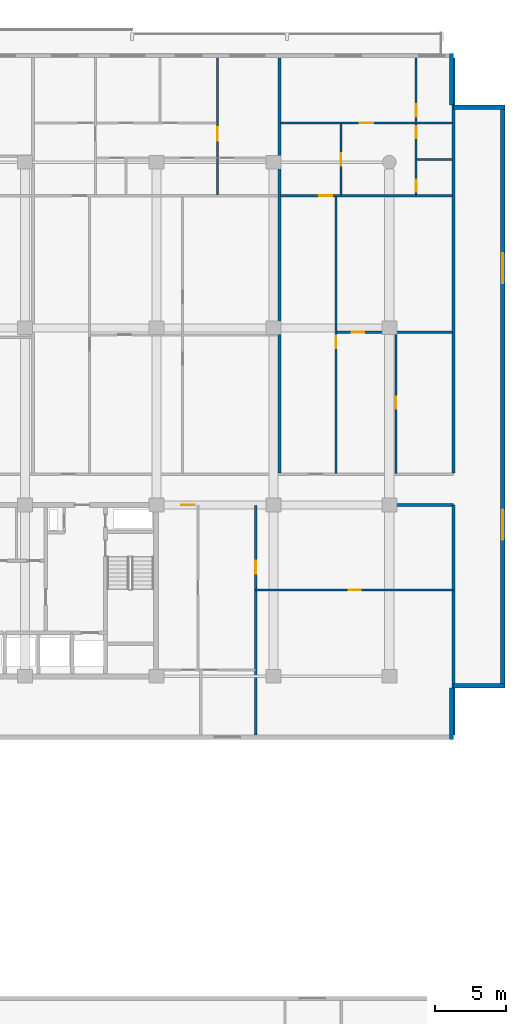
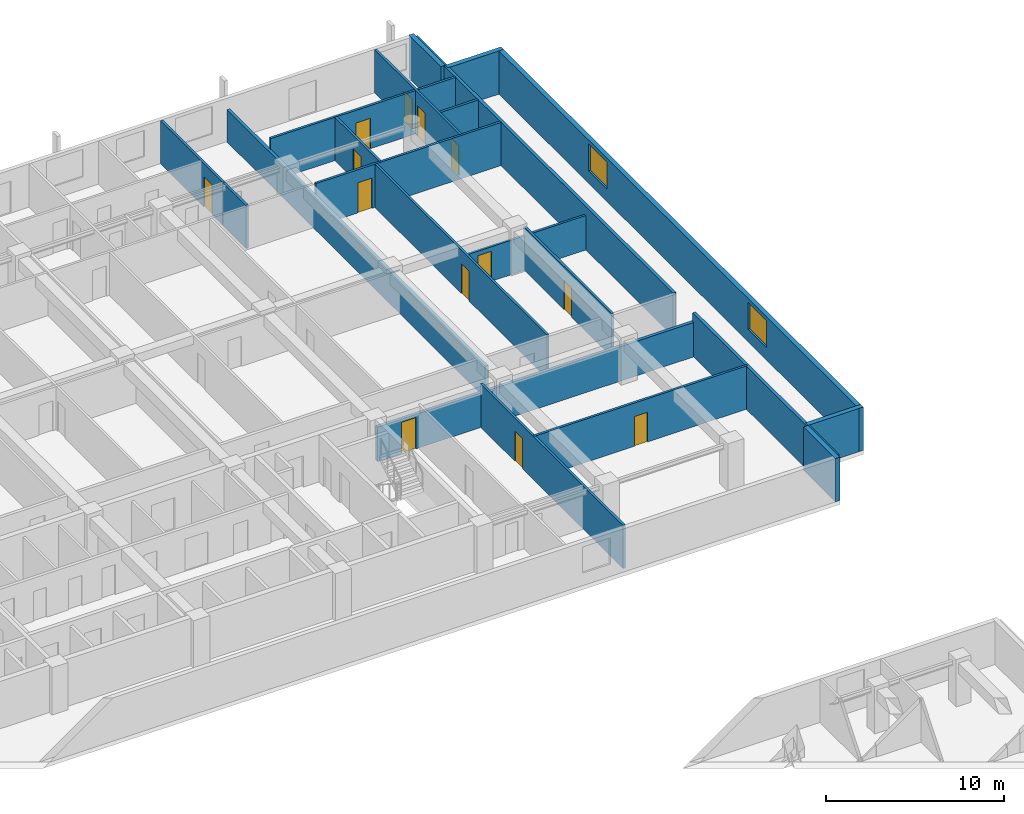
# One storey, part 17 of 23: 21 walls, 13 doors, 2 windows, 15 openings.
"""IFC4 building model written with IfcOpenShell, lengths in metres."""

from ifc_helpers import new_model, si_unit, direction, frame, frame_2d, origin, place, context, subcontext, project, spatial, rectangle, extrude, material, layer, layer_set, type_object, element, fill, save


model = new_model("IFC4")

# Units and contexts
model_context = context("Model", 3, precision=1e-05, world=origin(), true_north=direction((0.0, 1.0)))
body_context = subcontext(model_context, "Body", "Model", "MODEL_VIEW")
ifc_project = project(units=[si_unit("LENGTHUNIT", "METRE"), si_unit("AREAUNIT", "SQUARE_METRE"), si_unit("VOLUMEUNIT", "CUBIC_METRE"), si_unit("PLANEANGLEUNIT", "RADIAN"), si_unit("MASSUNIT", "GRAM", prefix="KILO")], contexts=[model_context])

# Site, building, storey
site_placement = place(None, origin())
site = spatial("IfcSite", under=ifc_project, at=site_placement, CompositionType="ELEMENT")
building_placement = place(site_placement, origin())
building = spatial("IfcBuilding", under=site, at=building_placement, Name="Korimba Cascade Residences", CompositionType="ELEMENT")
storey_placement = place(building_placement, frame((0.0, 0.0, 50.0)))
storey = spatial("IfcBuildingStorey", under=building, at=storey_placement, Name="L13", CompositionType="ELEMENT", Elevation=50.0)

# Walls
ifc_material_1 = material(Name="Precast concrete C40/50", Category="concrete")
ifc_layer_1 = layer(ifc_material_1, 0.300048828125)
ifc_layer_set_1 = layer_set([ifc_layer_1], Name="Precast concrete C40/50")
wall_type_1 = type_object("IfcWallType", Name="EW-STONE-300", PredefinedType="STANDARD", material=ifc_layer_set_1)
wall_1_placement = place(storey_placement, frame((132.75, 50.800048828125, 0.0), z_axis=(0.0, 0.0, 1.0), x_axis=(0.0, 1.0, 0.0)))
element("IfcWall", 1, at=wall_1_placement, inside=storey, type_object=wall_type_1, Name="L13 T1 Perimeter Stone Wall E01", PredefinedType="STANDARD", context=body_context, shape_type="SweptSolid", body=[
    extrude(rectangle(XDim=3.599853515625, YDim=0.300048828125, at=frame_2d((1.7998046875, 0.0))), origin(), (0.0, 0.0, 1.0), 2.969970703125),
])
wall_2_placement = place(storey_placement, frame((132.89990234375, 54.550048828125, 0.0), z_axis=(0.0, 0.0, 1.0), x_axis=(1.0, 0.0, 0.0)))
element("IfcWall", 2, at=wall_2_placement, inside=storey, type_object=wall_type_1, Name="L13 T1 Perimeter Stone Wall E02", PredefinedType="STANDARD", context=body_context, shape_type="SweptSolid", body=[
    extrude(rectangle(XDim=3.60009765625, YDim=0.300048828125, at=frame_2d((1.800048828125, 0.0))), origin(), (0.0, 0.0, 1.0), 2.969970703125),
])

# Wall, openings, windows
wall_3_placement = place(storey_placement, frame((136.35009765625, 54.39990234375, 0.0), z_axis=(0.0, 0.0, 1.0), x_axis=(0.0, 1.0, 0.0)))
wall_3 = element("IfcWall", 3, at=wall_3_placement, inside=storey, type_object=wall_type_1, Name="L13 T1 Perimeter Stone Wall E03", PredefinedType="STANDARD", context=body_context, shape_type="SweptSolid", body=[
    extrude(rectangle(XDim=40.800048828125, YDim=0.300048828125, at=frame_2d((20.39990234375, 0.0))), origin(), (0.0, 0.0, 1.0), 2.969970703125),
])
opening_1_placement = place(wall_3_placement, frame((10.3740234375, 0.0, 0.85009765625)))
opening_1 = element("IfcOpeningElement", 4, at=opening_1_placement, cuts=wall_3, Name="Opening W-03", PredefinedType="OPENING", context=body_context, shape_type="SweptSolid", body=[
    extrude(rectangle(XDim=2.10009765625, YDim=1.85009765625, at=frame_2d((1.050048828125, 0.925048828125))), frame((0.0, 0.16015625, 0.0), z_axis=(0.0, -1.0, 0.0), x_axis=(1.0, 0.0, 0.0)), (0.0, 0.0, 1.0), 0.320068359375),
])
opening_2_placement = place(wall_3_placement, frame((28.325927734375, 0.0, 0.85009765625)))
opening_2 = element("IfcOpeningElement", 5, at=opening_2_placement, cuts=wall_3, Name="Opening W-03", PredefinedType="OPENING", context=body_context, shape_type="SweptSolid", body=[
    extrude(rectangle(XDim=2.10009765625, YDim=1.85009765625, at=frame_2d((1.050048828125, 0.925048828125))), frame((0.0, 0.16015625, 0.0), z_axis=(0.0, -1.0, 0.0), x_axis=(1.0, 0.0, 0.0)), (0.0, 0.0, 1.0), 0.320068359375),
])
ifc_material_2 = material(Name="Double-Glazed Aluminium Window", Category="aluminium")
window_type = type_object("IfcWindowType", Name="WIN-CRN-2100", PartitioningType="DOUBLE_PANEL_HORIZONTAL", PredefinedType="WINDOW", material=ifc_material_2)
window_1_placement = place(opening_1_placement, origin())
window_1 = element("IfcWindow", 6, at=window_1_placement, inside=storey, type_object=window_type, Name="L13 T1 End View Window 3.1", OverallHeight=1.85009765625, OverallWidth=2.10009765625, PartitioningType="DOUBLE_PANEL_HORIZONTAL", PredefinedType="WINDOW", context=body_context, shape_type="SweptSolid", body=[
    extrude(rectangle(XDim=2.10009765625, YDim=1.85009765625, at=frame_2d((1.050048828125, 0.925048828125))), frame((0.0, 0.030029296875, 0.0), z_axis=(0.0, -1.0, 0.0), x_axis=(1.0, 0.0, 0.0)), (0.0, 0.0, 1.0), 0.06005859375),
])
fill(opening_1, window_1)
window_2_placement = place(opening_2_placement, origin())
window_2 = element("IfcWindow", 7, at=window_2_placement, inside=storey, type_object=window_type, Name="L13 T1 End View Window 3.2", OverallHeight=1.85009765625, OverallWidth=2.10009765625, PartitioningType="DOUBLE_PANEL_HORIZONTAL", PredefinedType="WINDOW", context=body_context, shape_type="SweptSolid", body=[
    extrude(rectangle(XDim=2.10009765625, YDim=1.85009765625, at=frame_2d((1.050048828125, 0.925048828125))), frame((0.0, 0.030029296875, 0.0), z_axis=(0.0, -1.0, 0.0), x_axis=(1.0, 0.0, 0.0)), (0.0, 0.0, 1.0), 0.06005859375),
])
fill(opening_2, window_2)

# Walls
for number, where, z_axis, x_axis, name in (
    (8, (136.5, 95.050048828125, 0.0), (0.0, 0.0, 1.0), (-1.0, 0.0, 0.0), "L13 T1 Perimeter Stone Wall E04"),
    (9, (132.75, 95.199951171875, 0.0), (0.0, 0.0, 1.0), (0.0, 1.0, 0.0), "L13 T1 Perimeter Stone Wall E05"),
):
    element("IfcWall", number, at=place(storey_placement, frame(where, z_axis=z_axis, x_axis=x_axis)), inside=storey, type_object=wall_type_1, Name=name, PredefinedType="STANDARD", context=body_context, shape_type="SweptSolid", body=[
        extrude(rectangle(XDim=3.60009765625, YDim=0.300048828125, at=frame_2d((1.800048828125, 0.0))), origin(), (0.0, 0.0, 1.0), 2.969970703125),
    ])
ifc_layer_2 = layer(ifc_material_1, 0.199951171875)
ifc_layer_set_2 = layer_set([ifc_layer_2], Name="Precast concrete C40/50")
wall_type_2 = type_object("IfcWallType", Name="WAL-IT-200", PredefinedType="PARTITIONING", material=ifc_layer_set_2)
wall_4_placement = place(storey_placement, frame((132.89990234375, 51.10009765625, 0.0), z_axis=(0.0, 0.0, 1.0), x_axis=(0.0, 1.0, 0.0)))
element("IfcWall", 10, at=wall_4_placement, inside=storey, type_object=wall_type_2, Name="L13 Partition Wall WAL-L13-T1-FE-WR", PredefinedType="PARTITIONING", context=body_context, shape_type="SweptSolid", body=[
    extrude(rectangle(XDim=16.099853515625, YDim=0.199951171875, at=frame_2d((8.0498046875, 0.0))), origin(), (0.0, 0.0, 1.0), 2.969970703125),
])

# Wall, opening, door
wall_5_placement = place(storey_placement, frame((112.25, 67.199951171875, 0.0), z_axis=(0.0, 0.0, 1.0), x_axis=(1.0, 0.0, 0.0)))
wall_5 = element("IfcWall", 11, at=wall_5_placement, inside=storey, type_object=wall_type_2, Name="L13 Partition Wall WAL-L13-T1-FE-N", PredefinedType="PARTITIONING", context=body_context, shape_type="SweptSolid", body=[
    extrude(rectangle(XDim=20.64990234375, YDim=0.199951171875, at=frame_2d((10.324951171875, 0.0))), origin(), (0.0, 0.0, 1.0), 2.3701171875),
])
opening_3_placement = place(wall_5_placement, frame((1.580078125, 0.0, 0.0)))
opening_3 = element("IfcOpeningElement", 12, at=opening_3_placement, cuts=wall_5, Name="Opening D-UN1", PredefinedType="OPENING", context=body_context, shape_type="SweptSolid", body=[
    extrude(rectangle(XDim=0.949951171875, YDim=2.14990234375, at=frame_2d((0.47509765625, 1.074951171875))), frame((0.0, 0.10986328125, 0.0), z_axis=(0.0, -1.0, 0.0), x_axis=(1.0, 0.0, 0.0)), (0.0, 0.0, 1.0), 0.219970703125),
])
ifc_material_3 = material(Name="Fire-Rated Hardwood Apartment Entrance Door", Category="wood")
door_type_1 = type_object("IfcDoorType", Name="DR-FD60-950", OperationType="NOTDEFINED", PredefinedType="DOOR", material=ifc_material_3)
door_1_placement = place(opening_3_placement, origin())
door_1 = element("IfcDoor", 13, at=door_1_placement, inside=storey, type_object=door_type_1, Name="L13-T1-FE Entrance Door", OperationType="SINGLE_SWING_LEFT", OverallHeight=2.14990234375, OverallWidth=0.949951171875, PredefinedType="DOOR", context=body_context, shape_type="SweptSolid", body=[
    extrude(rectangle(XDim=0.949951171875, YDim=2.14990234375, at=frame_2d((0.47509765625, 1.074951171875))), frame((0.0, 0.02490234375, 0.0), z_axis=(0.0, -1.0, 0.0), x_axis=(1.0, 0.0, 0.0)), (0.0, 0.0, 1.0), 0.050048828125),
])
fill(opening_3, door_1)

# Walls
wall_6_placement = place(storey_placement, frame((132.89990234375, 69.429931640625, 0.0), z_axis=(0.0, 0.0, 1.0), x_axis=(0.0, 1.0, 0.0)))
element("IfcWall", 14, at=wall_6_placement, inside=storey, type_object=wall_type_2, Name="L13 Partition Wall WAL-L13-T1-BNDWR", PredefinedType="PARTITIONING", context=body_context, shape_type="SweptSolid", body=[
    extrude(rectangle(XDim=29.070068359375, YDim=0.199951171875, at=frame_2d((14.53515625, 0.0))), origin(), (0.0, 0.0, 1.0), 2.969970703125),
])
wall_7_placement = place(storey_placement, frame((120.70458984375, 69.429931640625, 0.0), z_axis=(0.0, 0.0, 1.0), x_axis=(0.0, 1.0, 0.0)))
element("IfcWall", 15, at=wall_7_placement, inside=storey, type_object=wall_type_2, Name="L13 Partition Wall WAL-L13-T1-DEM-4", PredefinedType="PARTITIONING", context=body_context, shape_type="SweptSolid", body=[
    extrude(rectangle(XDim=29.070068359375, YDim=0.199951171875, at=frame_2d((14.53515625, 0.0))), origin(), (0.0, 0.0, 1.0), 2.219970703125),
])

# Wall, opening, door
ifc_material_4 = material(Name="Insulated Acoustic Stud Partition", Category="gypsum")
ifc_layer_3 = layer(ifc_material_4, 0.14990234375)
ifc_layer_set_3 = layer_set([ifc_layer_3], Name="Insulated Acoustic Stud Partition")
wall_type_3 = type_object("IfcWallType", Name="WAL-PART-150", PredefinedType="PARTITIONING", material=ifc_layer_set_3)
wall_8_placement = place(storey_placement, frame((119.050048828125, 61.25, 0.0), z_axis=(0.0, 0.0, 1.0), x_axis=(1.0, 0.0, 0.0)))
wall_8 = element("IfcWall", 16, at=wall_8_placement, inside=storey, type_object=wall_type_3, Name="L13 Partition Wall WAL-L13-T1-FE-STH", PredefinedType="PARTITIONING", context=body_context, shape_type="SweptSolid", body=[
    extrude(rectangle(XDim=13.849853515625, YDim=0.14990234375, at=frame_2d((6.9248046875, 0.0))), origin(), (0.0, 0.0, 1.0), 2.969970703125),
])
opening_4_placement = place(wall_8_placement, frame((6.5048828125, 0.0, 0.0)))
opening_4 = element("IfcOpeningElement", 17, at=opening_4_placement, cuts=wall_8, Name="Opening D-BT1", PredefinedType="OPENING", context=body_context, shape_type="SweptSolid", body=[
    extrude(rectangle(XDim=0.840087890625, YDim=2.0400390625, at=frame_2d((0.419921875, 1.02001953125))), frame((0.0, 0.0849609375, 0.0), z_axis=(0.0, -1.0, 0.0), x_axis=(1.0, 0.0, 0.0)), (0.0, 0.0, 1.0), 0.169921875),
])
ifc_material_5 = material(Name="Moisture-Resistant Bathroom Timber Door", Category="wood")
door_type_2 = type_object("IfcDoorType", Name="DR-INT-850", OperationType="NOTDEFINED", PredefinedType="DOOR", material=ifc_material_5)
door_2_placement = place(opening_4_placement, origin())
door_2 = element("IfcDoor", 18, at=door_2_placement, inside=storey, type_object=door_type_2, Name="L13-T1-FE Dressing Store Door", OperationType="SINGLE_SWING_RIGHT", OverallHeight=2.0400390625, OverallWidth=0.840087890625, PredefinedType="DOOR", context=body_context, shape_type="SweptSolid", body=[
    extrude(rectangle(XDim=0.840087890625, YDim=2.0400390625, at=frame_2d((0.419921875, 1.02001953125))), frame((0.0, 0.02490234375, 0.0), z_axis=(0.0, -1.0, 0.0), x_axis=(1.0, 0.0, 0.0)), (0.0, 0.0, 1.0), 0.050048828125),
])
fill(opening_4, door_2)

wall_9_placement = place(storey_placement, frame((119.050048828125, 51.10009765625, 0.0), z_axis=(0.0, 0.0, 1.0), x_axis=(0.0, 1.0, 0.0)))
wall_9 = element("IfcWall", 19, at=wall_9_placement, inside=storey, type_object=wall_type_3, Name="L13 Partition Wall WAL-L13-T1-FE-STV", PredefinedType="PARTITIONING", context=body_context, shape_type="SweptSolid", body=[
    extrude(rectangle(XDim=16.0498046875, YDim=0.14990234375, at=frame_2d((8.02490234375, 0.0))), origin(), (0.0, 0.0, 1.0), 2.969970703125),
])
opening_5_placement = place(wall_9_placement, frame((11.300048828125, 0.0, 0.0)))
opening_5 = element("IfcOpeningElement", 20, at=opening_5_placement, cuts=wall_9, Name="Opening D-IN2", PredefinedType="OPENING", context=body_context, shape_type="SweptSolid", body=[
    extrude(rectangle(XDim=0.8798828125, YDim=2.06005859375, at=frame_2d((0.43994140625, 1.030029296875))), frame((0.0, 0.0849609375, 0.0), z_axis=(0.0, -1.0, 0.0), x_axis=(1.0, 0.0, 0.0)), (0.0, 0.0, 1.0), 0.169921875),
])
ifc_material_6 = material(Name="Acoustic Timber Bedroom Door", Category="wood")
door_type_3 = type_object("IfcDoorType", Name="DR-INT-880", OperationType="NOTDEFINED", PredefinedType="DOOR", material=ifc_material_6)
door_3_placement = place(opening_5_placement, origin())
door_3 = element("IfcDoor", 21, at=door_3_placement, inside=storey, type_object=door_type_3, Name="L13-T1-FE Study Door", OperationType="SINGLE_SWING_LEFT", OverallHeight=2.06005859375, OverallWidth=0.8798828125, PredefinedType="DOOR", context=body_context, shape_type="SweptSolid", body=[
    extrude(rectangle(XDim=0.8798828125, YDim=2.06005859375, at=frame_2d((0.43994140625, 1.030029296875))), frame((0.0, 0.02490234375, 0.0), z_axis=(0.0, -1.0, 0.0), x_axis=(1.0, 0.0, 0.0)), (0.0, 0.0, 1.0), 0.050048828125),
])
fill(opening_5, door_3)

# Wall
wall_10_placement = place(storey_placement, frame((116.37451171875, 88.889892578125, 0.0), z_axis=(0.0, 0.0, 1.0), x_axis=(0.0, 1.0, 0.0)))
element("IfcWall", 22, at=wall_10_placement, inside=storey, type_object=wall_type_3, Name="L13 Partition Wall WAL-L13-T1-U04-VBATH", PredefinedType="PARTITIONING", context=body_context, shape_type="SweptSolid", body=[
    extrude(rectangle(XDim=2.580078125, YDim=0.14990234375, at=frame_2d((1.2900390625, 0.0))), origin(), (0.0, 0.0, 1.0), 2.969970703125),
])

# Wall, opening, door
wall_11_placement = place(storey_placement, frame((116.37451171875, 91.510009765625, 0.0), z_axis=(0.0, 0.0, 1.0), x_axis=(0.0, 1.0, 0.0)))
wall_11 = element("IfcWall", 23, at=wall_11_placement, inside=storey, type_object=wall_type_3, Name="L13 Partition Wall WAL-L13-T1-U04-V2FULL", PredefinedType="PARTITIONING", context=body_context, shape_type="SweptSolid", body=[
    extrude(rectangle(XDim=6.989990234375, YDim=0.14990234375, at=frame_2d((3.4951171875, 0.0))), origin(), (0.0, 0.0, 1.0), 2.969970703125),
])
opening_6_placement = place(wall_11_placement, frame((1.199951171875, 0.0, 0.0)))
opening_6 = element("IfcOpeningElement", 24, at=opening_6_placement, cuts=wall_11, Name="Opening D-IN1", PredefinedType="OPENING", context=body_context, shape_type="SweptSolid", body=[
    extrude(rectangle(XDim=0.919921875, YDim=2.080078125, at=frame_2d((0.4599609375, 1.0400390625))), frame((0.0, 0.0849609375, 0.0), z_axis=(0.0, -1.0, 0.0), x_axis=(1.0, 0.0, 0.0)), (0.0, 0.0, 1.0), 0.169921875),
])
ifc_material_7 = material(Name="Acoustic Timber Living Door", Category="wood")
door_type_4 = type_object("IfcDoorType", Name="DR-INT-920", OperationType="NOTDEFINED", PredefinedType="DOOR", material=ifc_material_7)
door_4_placement = place(opening_6_placement, origin())
door_4 = element("IfcDoor", 25, at=door_4_placement, inside=storey, type_object=door_type_4, Name="L13-T1-U04 Master Bedroom Door", OperationType="SINGLE_SWING_RIGHT", OverallHeight=2.080078125, OverallWidth=0.919921875, PredefinedType="DOOR", context=body_context, shape_type="SweptSolid", body=[
    extrude(rectangle(XDim=0.919921875, YDim=2.080078125, at=frame_2d((0.4599609375, 1.0400390625))), frame((0.0, 0.02490234375, 0.0), z_axis=(0.0, -1.0, 0.0), x_axis=(1.0, 0.0, 0.0)), (0.0, 0.0, 1.0), 0.050048828125),
])
fill(opening_6, door_4)

wall_12_placement = place(storey_placement, frame((128.877197265625, 69.409912109375, 0.0), z_axis=(0.0, 0.0, 1.0), x_axis=(0.0, 1.0, 0.0)))
wall_12 = element("IfcWall", 26, at=wall_12_placement, inside=storey, type_object=wall_type_3, Name="L13 Partition Wall WAL-L13-T1-U05-FMV", PredefinedType="PARTITIONING", context=body_context, shape_type="SweptSolid", body=[
    extrude(rectangle(XDim=9.880126953125, YDim=0.14990234375, at=frame_2d((4.93994140625, 0.0))), origin(), (0.0, 0.0, 1.0), 2.969970703125),
])
opening_7_placement = place(wall_12_placement, frame((4.52001953125, 0.0, 0.0)))
opening_7 = element("IfcOpeningElement", 27, at=opening_7_placement, cuts=wall_12, Name="Opening D-BT1", PredefinedType="OPENING", context=body_context, shape_type="SweptSolid", body=[
    extrude(rectangle(XDim=0.840087890625, YDim=2.0400390625, at=frame_2d((0.419921875, 1.02001953125))), frame((0.0, 0.0849609375, 0.0), z_axis=(0.0, -1.0, 0.0), x_axis=(1.0, 0.0, 0.0)), (0.0, 0.0, 1.0), 0.169921875),
])
door_5_placement = place(opening_7_placement, origin())
door_5 = element("IfcDoor", 28, at=door_5_placement, inside=storey, type_object=door_type_2, Name="L13-T1-U05 Wardrobe Door", OperationType="SINGLE_SWING_RIGHT", OverallHeight=2.0400390625, OverallWidth=0.840087890625, PredefinedType="DOOR", context=body_context, shape_type="SweptSolid", body=[
    extrude(rectangle(XDim=0.840087890625, YDim=2.0400390625, at=frame_2d((0.419921875, 1.02001953125))), frame((0.0, 0.02490234375, 0.0), z_axis=(0.0, -1.0, 0.0), x_axis=(1.0, 0.0, 0.0)), (0.0, 0.0, 1.0), 0.050048828125),
])
fill(opening_7, door_5)

wall_13_placement = place(storey_placement, frame((124.734619140625, 79.2900390625, 0.0), z_axis=(0.0, 0.0, 1.0), x_axis=(1.0, 0.0, 0.0)))
wall_13 = element("IfcWall", 29, at=wall_13_placement, inside=storey, type_object=wall_type_3, Name="L13 Partition Wall WAL-L13-T1-U05-FMH", PredefinedType="PARTITIONING", context=body_context, shape_type="SweptSolid", body=[
    extrude(rectangle(XDim=8.08544921875, YDim=0.14990234375, at=frame_2d((4.042724609375, 0.0))), origin(), (0.0, 0.0, 1.0), 2.3701171875),
])
opening_8_placement = place(wall_13_placement, frame((1.050048828125, 0.0, 0.0)))
opening_8 = element("IfcOpeningElement", 30, at=opening_8_placement, cuts=wall_13, Name="Opening D-IN2", PredefinedType="OPENING", context=body_context, shape_type="SweptSolid", body=[
    extrude(rectangle(XDim=0.8798828125, YDim=2.06005859375, at=frame_2d((0.43994140625, 1.030029296875))), frame((0.0, 0.0849609375, 0.0), z_axis=(0.0, -1.0, 0.0), x_axis=(1.0, 0.0, 0.0)), (0.0, 0.0, 1.0), 0.169921875),
])
door_6_placement = place(opening_8_placement, origin())
door_6 = element("IfcDoor", 31, at=door_6_placement, inside=storey, type_object=door_type_3, Name="L13-T1-U05 Library Salon Door", OperationType="SINGLE_SWING_LEFT", OverallHeight=2.06005859375, OverallWidth=0.8798828125, PredefinedType="DOOR", context=body_context, shape_type="SweptSolid", body=[
    extrude(rectangle(XDim=0.8798828125, YDim=2.06005859375, at=frame_2d((0.43994140625, 1.030029296875))), frame((0.0, 0.02490234375, 0.0), z_axis=(0.0, -1.0, 0.0), x_axis=(1.0, 0.0, 0.0)), (0.0, 0.0, 1.0), 0.050048828125),
])
fill(opening_8, door_6)

wall_14_placement = place(storey_placement, frame((124.674560546875, 69.409912109375, 0.0), z_axis=(0.0, 0.0, 1.0), x_axis=(0.0, 1.0, 0.0)))
wall_14 = element("IfcWall", 32, at=wall_14_placement, inside=storey, type_object=wall_type_3, Name="L13 Partition Wall WAL-L13-T1-U05-FV", PredefinedType="PARTITIONING", context=body_context, shape_type="SweptSolid", body=[
    extrude(rectangle(XDim=19.400146484375, YDim=0.14990234375, at=frame_2d((9.7001953125, 0.0))), origin(), (0.0, 0.0, 1.0), 2.969970703125),
])
opening_9_placement = place(wall_14_placement, frame((8.75, 0.0, 0.0)))
opening_9 = element("IfcOpeningElement", 33, at=opening_9_placement, cuts=wall_14, Name="Opening D-IN2", PredefinedType="OPENING", context=body_context, shape_type="SweptSolid", body=[
    extrude(rectangle(XDim=0.8798828125, YDim=2.06005859375, at=frame_2d((0.43994140625, 1.030029296875))), frame((0.0, 0.0849609375, 0.0), z_axis=(0.0, -1.0, 0.0), x_axis=(1.0, 0.0, 0.0)), (0.0, 0.0, 1.0), 0.169921875),
])
door_7_placement = place(opening_9_placement, origin())
door_7 = element("IfcDoor", 34, at=door_7_placement, inside=storey, type_object=door_type_3, Name="L13-T1-U05 Media Lounge Door", OperationType="SINGLE_SWING_RIGHT", OverallHeight=2.06005859375, OverallWidth=0.8798828125, PredefinedType="DOOR", context=body_context, shape_type="SweptSolid", body=[
    extrude(rectangle(XDim=0.8798828125, YDim=2.06005859375, at=frame_2d((0.43994140625, 1.030029296875))), frame((0.0, 0.02490234375, 0.0), z_axis=(0.0, -1.0, 0.0), x_axis=(1.0, 0.0, 0.0)), (0.0, 0.0, 1.0), 0.050048828125),
])
fill(opening_9, door_7)

wall_15_placement = place(storey_placement, frame((125.024658203125, 88.889892578125, 0.0), z_axis=(0.0, 0.0, 1.0), x_axis=(0.0, 1.0, 0.0)))
wall_15 = element("IfcWall", 35, at=wall_15_placement, inside=storey, type_object=wall_type_3, Name="L13 Partition Wall WAL-L13-T1-U05-VDIN", PredefinedType="PARTITIONING", context=body_context, shape_type="SweptSolid", body=[
    extrude(rectangle(XDim=5.0, YDim=0.14990234375, at=frame_2d((2.5, 0.0))), origin(), (0.0, 0.0, 1.0), 2.969970703125),
])
opening_10_placement = place(wall_15_placement, frame((2.06005859375, 0.0, 0.0)))
opening_10 = element("IfcOpeningElement", 36, at=opening_10_placement, cuts=wall_15, Name="Opening D-IN2", PredefinedType="OPENING", context=body_context, shape_type="SweptSolid", body=[
    extrude(rectangle(XDim=0.8798828125, YDim=2.06005859375, at=frame_2d((0.43994140625, 1.030029296875))), frame((0.0, 0.0849609375, 0.0), z_axis=(0.0, -1.0, 0.0), x_axis=(1.0, 0.0, 0.0)), (0.0, 0.0, 1.0), 0.169921875),
])
door_8_placement = place(opening_10_placement, origin())
door_8 = element("IfcDoor", 37, at=door_8_placement, inside=storey, type_object=door_type_3, Name="L13-T1-U05 Dining Room Door", OperationType="SINGLE_SWING_LEFT", OverallHeight=2.06005859375, OverallWidth=0.8798828125, PredefinedType="DOOR", context=body_context, shape_type="SweptSolid", body=[
    extrude(rectangle(XDim=0.8798828125, YDim=2.06005859375, at=frame_2d((0.43994140625, 1.030029296875))), frame((0.0, 0.02490234375, 0.0), z_axis=(0.0, -1.0, 0.0), x_axis=(1.0, 0.0, 0.0)), (0.0, 0.0, 1.0), 0.050048828125),
])
fill(opening_10, door_8)

# Wall
wall_16_placement = place(storey_placement, frame((130.340087890625, 91.389892578125, 0.0), z_axis=(0.0, 0.0, 1.0), x_axis=(1.0, 0.0, 0.0)))
element("IfcWall", 38, at=wall_16_placement, inside=storey, type_object=wall_type_3, Name="L13 Partition Wall WAL-L13-T1-U05-BLDIV", PredefinedType="PARTITIONING", context=body_context, shape_type="SweptSolid", body=[
    extrude(rectangle(XDim=2.47998046875, YDim=0.14990234375, at=frame_2d((1.239990234375, 0.0))), origin(), (0.0, 0.0, 1.0), 2.969970703125),
])

# Wall, openings, doors
wall_17_placement = place(storey_placement, frame((130.280029296875, 88.889892578125, 0.0), z_axis=(0.0, 0.0, 1.0), x_axis=(0.0, 1.0, 0.0)))
wall_17 = element("IfcWall", 39, at=wall_17_placement, inside=storey, type_object=wall_type_3, Name="L13 Partition Wall WAL-L13-T1-U05-V1", PredefinedType="PARTITIONING", context=body_context, shape_type="SweptSolid", body=[
    extrude(rectangle(XDim=9.610107421875, YDim=0.14990234375, at=frame_2d((4.80517578125, 0.0))), origin(), (0.0, 0.0, 1.0), 2.969970703125),
])
opening_11_placement = place(wall_17_placement, frame((0.239990234375, 0.0, 0.0)))
opening_11 = element("IfcOpeningElement", 40, at=opening_11_placement, cuts=wall_17, Name="Opening D-BT1", PredefinedType="OPENING", context=body_context, shape_type="SweptSolid", body=[
    extrude(rectangle(XDim=0.840087890625, YDim=2.0400390625, at=frame_2d((0.419921875, 1.02001953125))), frame((0.0, 0.0849609375, 0.0), z_axis=(0.0, -1.0, 0.0), x_axis=(1.0, 0.0, 0.0)), (0.0, 0.0, 1.0), 0.169921875),
])
opening_12_placement = place(wall_17_placement, frame((3.966552734375, 0.0, 0.0)))
opening_12 = element("IfcOpeningElement", 41, at=opening_12_placement, cuts=wall_17, Name="Opening D-BT1", PredefinedType="OPENING", context=body_context, shape_type="SweptSolid", body=[
    extrude(rectangle(XDim=0.840087890625, YDim=2.0400390625, at=frame_2d((0.419921875, 1.02001953125))), frame((0.0, 0.0849609375, 0.0), z_axis=(0.0, -1.0, 0.0), x_axis=(1.0, 0.0, 0.0)), (0.0, 0.0, 1.0), 0.169921875),
])
opening_13_placement = place(wall_17_placement, frame((5.47998046875, 0.0, 0.0)))
opening_13 = element("IfcOpeningElement", 42, at=opening_13_placement, cuts=wall_17, Name="Opening D-IN2", PredefinedType="OPENING", context=body_context, shape_type="SweptSolid", body=[
    extrude(rectangle(XDim=0.8798828125, YDim=2.06005859375, at=frame_2d((0.43994140625, 1.030029296875))), frame((0.0, 0.0849609375, 0.0), z_axis=(0.0, -1.0, 0.0), x_axis=(1.0, 0.0, 0.0)), (0.0, 0.0, 1.0), 0.169921875),
])
door_9_placement = place(opening_11_placement, origin())
door_9 = element("IfcDoor", 43, at=door_9_placement, inside=storey, type_object=door_type_2, Name="L13-T1-U05 Bathroom Door", OperationType="SINGLE_SWING_RIGHT", OverallHeight=2.0400390625, OverallWidth=0.840087890625, PredefinedType="DOOR", context=body_context, shape_type="SweptSolid", body=[
    extrude(rectangle(XDim=0.840087890625, YDim=2.0400390625, at=frame_2d((0.419921875, 1.02001953125))), frame((0.0, 0.02490234375, 0.0), z_axis=(0.0, -1.0, 0.0), x_axis=(1.0, 0.0, 0.0)), (0.0, 0.0, 1.0), 0.050048828125),
])
fill(opening_11, door_9)
door_10_placement = place(opening_12_placement, origin())
door_10 = element("IfcDoor", 44, at=door_10_placement, inside=storey, type_object=door_type_2, Name="L13-T1-U05 Laundry Door", OperationType="SINGLE_SWING_LEFT", OverallHeight=2.0400390625, OverallWidth=0.840087890625, PredefinedType="DOOR", context=body_context, shape_type="SweptSolid", body=[
    extrude(rectangle(XDim=0.840087890625, YDim=2.0400390625, at=frame_2d((0.419921875, 1.02001953125))), frame((0.0, 0.02490234375, 0.0), z_axis=(0.0, -1.0, 0.0), x_axis=(1.0, 0.0, 0.0)), (0.0, 0.0, 1.0), 0.050048828125),
])
fill(opening_12, door_10)
door_11_placement = place(opening_13_placement, origin())
door_11 = element("IfcDoor", 45, at=door_11_placement, inside=storey, type_object=door_type_3, Name="L13-T1-U05 Bedroom 1 Door", OperationType="SINGLE_SWING_RIGHT", OverallHeight=2.06005859375, OverallWidth=0.8798828125, PredefinedType="DOOR", context=body_context, shape_type="SweptSolid", body=[
    extrude(rectangle(XDim=0.8798828125, YDim=2.06005859375, at=frame_2d((0.43994140625, 1.030029296875))), frame((0.0, 0.02490234375, 0.0), z_axis=(0.0, -1.0, 0.0), x_axis=(1.0, 0.0, 0.0)), (0.0, 0.0, 1.0), 0.050048828125),
])
fill(opening_13, door_11)

# Wall, opening, door
wall_18_placement = place(storey_placement, frame((120.78466796875, 88.85009765625, 0.0), z_axis=(0.0, 0.0, 1.0), x_axis=(1.0, 0.0, 0.0)))
wall_18 = element("IfcWall", 46, at=wall_18_placement, inside=storey, type_object=wall_type_3, Name="L13 Partition Wall WAL-L13-T1-U05-MW", PredefinedType="PARTITIONING", context=body_context, shape_type="SweptSolid", body=[
    extrude(rectangle(XDim=12.035400390625, YDim=0.14990234375, at=frame_2d((6.017578125, 0.0))), origin(), (0.0, 0.0, 1.0), 2.969970703125),
])
opening_14_placement = place(wall_18_placement, frame((2.719970703125, 0.0, 0.0)))
opening_14 = element("IfcOpeningElement", 47, at=opening_14_placement, cuts=wall_18, Name="Opening D-IN1", PredefinedType="OPENING", context=body_context, shape_type="SweptSolid", body=[
    extrude(rectangle(XDim=0.919921875, YDim=2.080078125, at=frame_2d((0.4599609375, 1.0400390625))), frame((0.0, 0.0849609375, 0.0), z_axis=(0.0, -1.0, 0.0), x_axis=(1.0, 0.0, 0.0)), (0.0, 0.0, 1.0), 0.169921875),
])
door_12_placement = place(opening_14_placement, origin())
door_12 = element("IfcDoor", 48, at=door_12_placement, inside=storey, type_object=door_type_4, Name="L13-T1-U05 Kitchen Archway Door", OperationType="SINGLE_SWING_LEFT", OverallHeight=2.080078125, OverallWidth=0.919921875, PredefinedType="DOOR", context=body_context, shape_type="SweptSolid", body=[
    extrude(rectangle(XDim=0.919921875, YDim=2.080078125, at=frame_2d((0.4599609375, 1.0400390625))), frame((0.0, 0.02490234375, 0.0), z_axis=(0.0, -1.0, 0.0), x_axis=(1.0, 0.0, 0.0)), (0.0, 0.0, 1.0), 0.050048828125),
])
fill(opening_14, door_12)

wall_19_placement = place(storey_placement, frame((120.78466796875, 93.949951171875, 0.0), z_axis=(0.0, 0.0, 1.0), x_axis=(1.0, 0.0, 0.0)))
wall_19 = element("IfcWall", 49, at=wall_19_placement, inside=storey, type_object=wall_type_3, Name="L13 Partition Wall WAL-L13-T1-U05-HZ", PredefinedType="PARTITIONING", context=body_context, shape_type="SweptSolid", body=[
    extrude(rectangle(XDim=12.035400390625, YDim=0.14990234375, at=frame_2d((6.017578125, 0.0))), origin(), (0.0, 0.0, 1.0), 2.969970703125),
])
opening_15_placement = place(wall_19_placement, frame((5.547607421875, 0.0, 0.0)))
opening_15 = element("IfcOpeningElement", 50, at=opening_15_placement, cuts=wall_19, Name="Opening D-IN0", PredefinedType="OPENING", context=body_context, shape_type="SweptSolid", body=[
    extrude(rectangle(XDim=0.93994140625, YDim=2.10009765625, at=frame_2d((0.469970703125, 1.050048828125))), frame((0.0, 0.0849609375, 0.0), z_axis=(0.0, -1.0, 0.0), x_axis=(1.0, 0.0, 0.0)), (0.0, 0.0, 1.0), 0.169921875),
])
ifc_material_8 = material(Name="Acoustic Timber Living Archway Door", Category="wood")
door_type_5 = type_object("IfcDoorType", Name="DR-INT-950", OperationType="NOTDEFINED", PredefinedType="DOOR", material=ifc_material_8)
door_13_placement = place(opening_15_placement, origin())
door_13 = element("IfcDoor", 51, at=door_13_placement, inside=storey, type_object=door_type_5, Name="L13-T1-U05 Living Archway Door", OperationType="SINGLE_SWING_RIGHT", OverallHeight=2.10009765625, OverallWidth=0.93994140625, PredefinedType="DOOR", context=body_context, shape_type="SweptSolid", body=[
    extrude(rectangle(XDim=0.93994140625, YDim=2.10009765625, at=frame_2d((0.469970703125, 1.050048828125))), frame((0.0, 0.02490234375, 0.0), z_axis=(0.0, -1.0, 0.0), x_axis=(1.0, 0.0, 0.0)), (0.0, 0.0, 1.0), 0.050048828125),
])
fill(opening_15, door_13)

save(model, "model.ifc")
